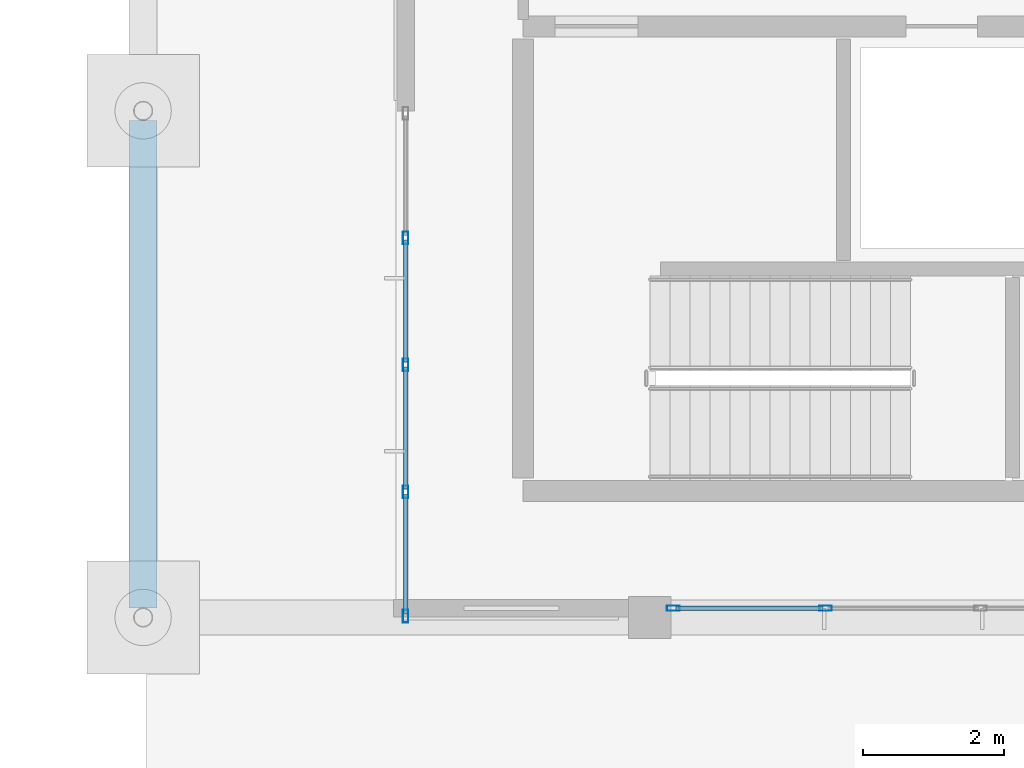
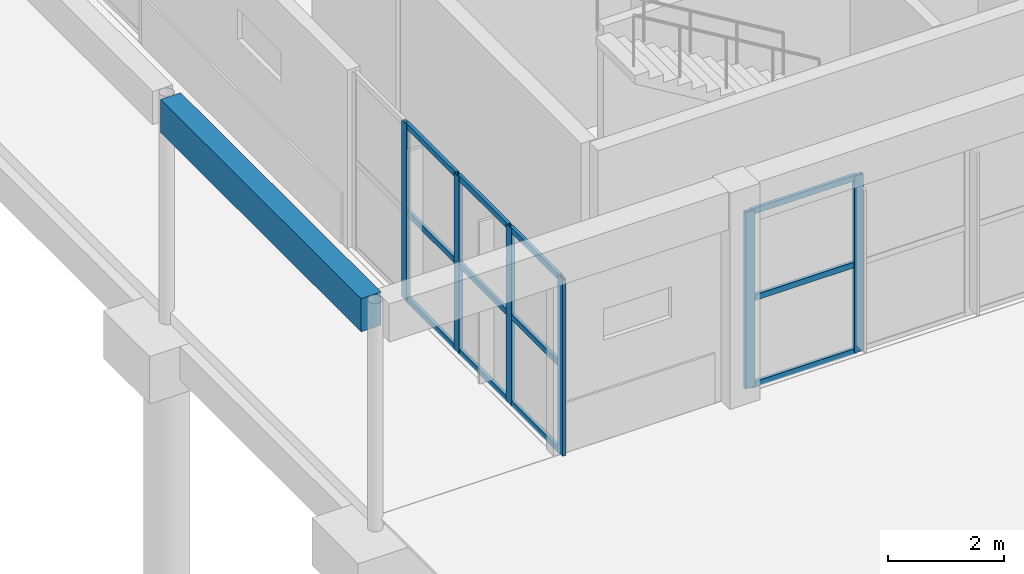
# One storey, part 13 of 155: 18 members, 1 beam, 2 elements without a shape of their own.
"""IFC4 building model written with IfcOpenShell, lengths in metres."""

from ifc_helpers import new_model, si_unit, direction, frame, origin, origin_2d, place, context, subcontext, project, spatial, rectangle, hollow_rectangle, extrude, material, material_profile, profile_set, type_object, element, aggregate, save


model = new_model("IFC4")

# Units and contexts
model_context = context("Model", 3, precision=1e-05, world=origin(), true_north=direction((0.0, 1.0)))
body_context = subcontext(model_context, "Body", "Model", "MODEL_VIEW")
ifc_project = project(units=[si_unit("LENGTHUNIT", "METRE"), si_unit("AREAUNIT", "SQUARE_METRE"), si_unit("VOLUMEUNIT", "CUBIC_METRE"), si_unit("PLANEANGLEUNIT", "RADIAN"), si_unit("MASSUNIT", "GRAM", prefix="KILO")], contexts=[model_context])

# Site, building, storey
site_placement = place(None, origin())
site = spatial("IfcSite", under=ifc_project, at=site_placement, CompositionType="ELEMENT")
building_placement = place(site_placement, origin())
building = spatial("IfcBuilding", under=site, at=building_placement, Name="Bramvelor Terrace Health Centre", CompositionType="ELEMENT")
storey_placement = place(building_placement, origin())
storey = spatial("IfcBuildingStorey", under=building, at=storey_placement, Name="L01", CompositionType="ELEMENT", Elevation=0.0)

# Beam
ifc_material_1 = material(Name="Concrete C40/50", Category="concrete")
ifc_material_profile_1 = material_profile(ifc_material_1, rectangle(XDim=0.39990234375, YDim=0.699951171875, at=origin_2d()), Name="RC 400x700")
ifc_profile_set_1 = profile_set([ifc_material_profile_1], Name="Concrete C40/50")
beam_type = type_object("IfcBeamType", Name="BM-RC-SP700-EXT", PredefinedType="SPANDREL", material=ifc_profile_set_1)
beam_placement = place(storey_placement, frame((0.0, 28.9365234375, 4.2099609375), z_axis=(0.0, 1.0, 0.0), x_axis=(-1.0, 0.0, 0.0)))
element("IfcBeam", 1, at=beam_placement, inside=storey, type_object=beam_type, Name="L01 Floor Girder", PredefinedType="SPANDREL", context=body_context, shape_type="SweptSolid", body=[
    extrude(rectangle(XDim=0.39990234375, YDim=0.699951171875, at=origin_2d()), origin(), (0.0, 0.0, 1.0), 6.927001953125),
])

# Curtain wall, members
ifc_material_2 = material(Name="Anodized aluminium and double low-E glass", Category="aluminium")
curtain_wall_type_1 = type_object("IfcCurtainWallType", Name="CW-SYS-02", PredefinedType="NOTDEFINED", material=ifc_material_2)
curtain_wall_1_placement = place(storey_placement, origin())
curtain_wall_1 = element("IfcCurtainWall", 2, at=curtain_wall_1_placement, inside=storey, type_object=curtain_wall_type_1, Name="L01 Unitized Curtain Wall 6", PredefinedType="NOTDEFINED")
ifc_material_3 = material(Name="Anodized aluminium 6063-T6", Category="aluminium")
ifc_material_profile_2 = material_profile(ifc_material_3, hollow_rectangle(XDim=0.074951171875, YDim=0.179931640625, WallThickness=0.00341796875, at=origin_2d()), Name="ALU-MUL 75x180x3.5")
ifc_profile_set_2 = profile_set([ifc_material_profile_2], Name="Anodized aluminium 6063-T6")
member_type_1 = type_object("IfcMemberType", Name="CW-MUL-65x180", PredefinedType="MULLION", material=ifc_profile_set_2)
member_1_placement = place(storey_placement, frame((9.6982421875, 28.929931640625, 0.0), z_axis=(0.0, 0.0, 1.0), x_axis=(0.0, -1.0, 0.0)))
member_1 = element("IfcMember", 3, at=member_1_placement, type_object=member_type_1, Name="CW-02 mullion 3", PredefinedType="MULLION", context=body_context, shape_type="SweptSolid", body=[
    extrude(hollow_rectangle(XDim=0.074951171875, YDim=0.179931640625, WallThickness=0.00341796875, at=origin_2d()), origin(), (0.0, 0.0, 1.0), 3.719970703125),
])
member_2_placement = place(storey_placement, frame((7.532470703125, 28.929931640625, 0.0), z_axis=(0.0, 0.0, 1.0), x_axis=(0.0, -1.0, 0.0)))
member_2 = element("IfcMember", 4, at=member_2_placement, type_object=member_type_1, Name="CW-02 mullion 4", PredefinedType="MULLION", context=body_context, shape_type="SweptSolid", body=[
    extrude(hollow_rectangle(XDim=0.074951171875, YDim=0.179931640625, WallThickness=0.00341796875, at=origin_2d()), origin(), (0.0, 0.0, 1.0), 3.719970703125),
])

ifc_material_4 = material(Name="Anodized aluminium and double low-E glass", Category="aluminium")
curtain_wall_type_2 = type_object("IfcCurtainWallType", Name="CW-SYS-03", PredefinedType="NOTDEFINED", material=ifc_material_4)
curtain_wall_2_placement = place(storey_placement, origin())
curtain_wall_2 = element("IfcCurtainWall", 5, at=curtain_wall_2_placement, inside=storey, type_object=curtain_wall_type_2, Name="L01 Unitized Curtain Wall 7", PredefinedType="NOTDEFINED")
member_3_placement = place(storey_placement, frame((3.72998046875, 28.8173828125, 0.0), z_axis=(0.0, 0.0, 1.0), x_axis=(-1.0, 0.0, 0.0)))
member_3 = element("IfcMember", 6, at=member_3_placement, type_object=member_type_1, Name="CW-03 mullion 1", PredefinedType="MULLION", context=body_context, shape_type="SweptSolid", body=[
    extrude(hollow_rectangle(XDim=0.074951171875, YDim=0.179931640625, WallThickness=0.00341796875, at=origin_2d()), origin(), (0.0, 0.0, 1.0), 3.719970703125),
])
member_4_placement = place(storey_placement, frame((3.72998046875, 30.5849609375, 0.0), z_axis=(0.0, 0.0, 1.0), x_axis=(-1.0, 0.0, 0.0)))
member_4 = element("IfcMember", 7, at=member_4_placement, type_object=member_type_1, Name="CW-03 mullion 2", PredefinedType="MULLION", context=body_context, shape_type="SweptSolid", body=[
    extrude(hollow_rectangle(XDim=0.074951171875, YDim=0.179931640625, WallThickness=0.00341796875, at=origin_2d()), origin(), (0.0, 0.0, 1.0), 3.719970703125),
])
member_5_placement = place(storey_placement, frame((3.72998046875, 32.389892578125, 0.0), z_axis=(0.0, 0.0, 1.0), x_axis=(-1.0, 0.0, 0.0)))
member_5 = element("IfcMember", 8, at=member_5_placement, type_object=member_type_1, Name="CW-03 mullion 3", PredefinedType="MULLION", context=body_context, shape_type="SweptSolid", body=[
    extrude(hollow_rectangle(XDim=0.074951171875, YDim=0.179931640625, WallThickness=0.00341796875, at=origin_2d()), origin(), (0.0, 0.0, 1.0), 3.719970703125),
])
member_6_placement = place(storey_placement, frame((3.72998046875, 34.195068359375, 0.0), z_axis=(0.0, 0.0, 1.0), x_axis=(-1.0, 0.0, 0.0)))
member_6 = element("IfcMember", 9, at=member_6_placement, type_object=member_type_1, Name="CW-03 mullion 4", PredefinedType="MULLION", context=body_context, shape_type="SweptSolid", body=[
    extrude(hollow_rectangle(XDim=0.074951171875, YDim=0.179931640625, WallThickness=0.00341796875, at=origin_2d()), origin(), (0.0, 0.0, 1.0), 3.719970703125),
])

# Member
ifc_material_5 = material(Name="Anodized aluminium 6063-T6", Category="aluminium")
ifc_material_profile_3 = material_profile(ifc_material_5, hollow_rectangle(XDim=0.06494140625, YDim=0.1201171875, WallThickness=0.0029296875, at=origin_2d()), Name="ALU-TRN 65x120x3.0")
ifc_profile_set_3 = profile_set([ifc_material_profile_3], Name="Anodized aluminium 6063-T6")
member_type_2 = type_object("IfcMemberType", Name="CW-TRN-65x150", PredefinedType="USERDEFINED", material=ifc_profile_set_3)
member_7_placement = place(storey_placement, frame((9.660888671875, 28.929931640625, 0.032470703125), z_axis=(-1.0, 0.0, 0.0), x_axis=(0.0, -1.0, 0.0)))
member_7 = element("IfcMember", 10, at=member_7_placement, type_object=member_type_2, Name="CW-02 transom 3.1", ObjectType="TRANSOM", PredefinedType="USERDEFINED", context=body_context, shape_type="SweptSolid", body=[
    extrude(hollow_rectangle(XDim=0.06494140625, YDim=0.1201171875, WallThickness=0.0029296875, at=origin_2d()), origin(), (0.0, 0.0, 1.0), 2.0908203125),
])

member_8_placement = place(storey_placement, frame((9.660888671875, 28.929931640625, 1.860107421875), z_axis=(-1.0, 0.0, 0.0), x_axis=(0.0, -1.0, 0.0)))
member_8 = element("IfcMember", 11, at=member_8_placement, type_object=member_type_2, Name="CW-02 transom 3.2", ObjectType="TRANSOM", PredefinedType="USERDEFINED", context=body_context, shape_type="SweptSolid", body=[
    extrude(hollow_rectangle(XDim=0.06494140625, YDim=0.1201171875, WallThickness=0.0029296875, at=origin_2d()), origin(), (0.0, 0.0, 1.0), 2.0908203125),
])

member_9_placement = place(storey_placement, frame((9.660888671875, 28.929931640625, 3.6875), z_axis=(-1.0, 0.0, 0.0), x_axis=(0.0, -1.0, 0.0)))
member_9 = element("IfcMember", 12, at=member_9_placement, type_object=member_type_2, Name="CW-02 transom 3.3", ObjectType="TRANSOM", PredefinedType="USERDEFINED", context=body_context, shape_type="SweptSolid", body=[
    extrude(hollow_rectangle(XDim=0.06494140625, YDim=0.1201171875, WallThickness=0.0029296875, at=origin_2d()), origin(), (0.0, 0.0, 1.0), 2.0908203125),
])

aggregate(curtain_wall_1, [member_1, member_2, member_7, member_8, member_9])

member_10_placement = place(storey_placement, frame((3.72998046875, 28.85498046875, 0.032470703125), z_axis=(0.0, 1.0, 0.0), x_axis=(-1.0, 0.0, 0.0)))
member_10 = element("IfcMember", 13, at=member_10_placement, type_object=member_type_2, Name="CW-03 transom 1.1", ObjectType="TRANSOM", PredefinedType="USERDEFINED", context=body_context, shape_type="SweptSolid", body=[
    extrude(hollow_rectangle(XDim=0.06494140625, YDim=0.1201171875, WallThickness=0.0029296875, at=origin_2d()), origin(), (0.0, 0.0, 1.0), 1.692626953125),
])

member_11_placement = place(storey_placement, frame((3.72998046875, 28.85498046875, 1.860107421875), z_axis=(0.0, 1.0, 0.0), x_axis=(-1.0, 0.0, 0.0)))
member_11 = element("IfcMember", 14, at=member_11_placement, type_object=member_type_2, Name="CW-03 transom 1.2", ObjectType="TRANSOM", PredefinedType="USERDEFINED", context=body_context, shape_type="SweptSolid", body=[
    extrude(hollow_rectangle(XDim=0.06494140625, YDim=0.1201171875, WallThickness=0.0029296875, at=origin_2d()), origin(), (0.0, 0.0, 1.0), 1.692626953125),
])

member_12_placement = place(storey_placement, frame((3.72998046875, 28.85498046875, 3.6875), z_axis=(0.0, 1.0, 0.0), x_axis=(-1.0, 0.0, 0.0)))
member_12 = element("IfcMember", 15, at=member_12_placement, type_object=member_type_2, Name="CW-03 transom 1.3", ObjectType="TRANSOM", PredefinedType="USERDEFINED", context=body_context, shape_type="SweptSolid", body=[
    extrude(hollow_rectangle(XDim=0.06494140625, YDim=0.1201171875, WallThickness=0.0029296875, at=origin_2d()), origin(), (0.0, 0.0, 1.0), 1.692626953125),
])

member_13_placement = place(storey_placement, frame((3.72998046875, 30.62255859375, 0.032470703125), z_axis=(0.0, 1.0, 0.0), x_axis=(-1.0, 0.0, 0.0)))
member_13 = element("IfcMember", 16, at=member_13_placement, type_object=member_type_2, Name="CW-03 transom 2.1", ObjectType="TRANSOM", PredefinedType="USERDEFINED", context=body_context, shape_type="SweptSolid", body=[
    extrude(hollow_rectangle(XDim=0.06494140625, YDim=0.1201171875, WallThickness=0.0029296875, at=origin_2d()), origin(), (0.0, 0.0, 1.0), 1.72998046875),
])

member_14_placement = place(storey_placement, frame((3.72998046875, 30.62255859375, 1.860107421875), z_axis=(0.0, 1.0, 0.0), x_axis=(-1.0, 0.0, 0.0)))
member_14 = element("IfcMember", 17, at=member_14_placement, type_object=member_type_2, Name="CW-03 transom 2.2", ObjectType="TRANSOM", PredefinedType="USERDEFINED", context=body_context, shape_type="SweptSolid", body=[
    extrude(hollow_rectangle(XDim=0.06494140625, YDim=0.1201171875, WallThickness=0.0029296875, at=origin_2d()), origin(), (0.0, 0.0, 1.0), 1.72998046875),
])

member_15_placement = place(storey_placement, frame((3.72998046875, 30.62255859375, 3.6875), z_axis=(0.0, 1.0, 0.0), x_axis=(-1.0, 0.0, 0.0)))
member_15 = element("IfcMember", 18, at=member_15_placement, type_object=member_type_2, Name="CW-03 transom 2.3", ObjectType="TRANSOM", PredefinedType="USERDEFINED", context=body_context, shape_type="SweptSolid", body=[
    extrude(hollow_rectangle(XDim=0.06494140625, YDim=0.1201171875, WallThickness=0.0029296875, at=origin_2d()), origin(), (0.0, 0.0, 1.0), 1.72998046875),
])

member_16_placement = place(storey_placement, frame((3.72998046875, 32.427490234375, 0.032470703125), z_axis=(0.0, 1.0, 0.0), x_axis=(-1.0, 0.0, 0.0)))
member_16 = element("IfcMember", 19, at=member_16_placement, type_object=member_type_2, Name="CW-03 transom 3.1", ObjectType="TRANSOM", PredefinedType="USERDEFINED", context=body_context, shape_type="SweptSolid", body=[
    extrude(hollow_rectangle(XDim=0.06494140625, YDim=0.1201171875, WallThickness=0.0029296875, at=origin_2d()), origin(), (0.0, 0.0, 1.0), 1.72998046875),
])

member_17_placement = place(storey_placement, frame((3.72998046875, 32.427490234375, 1.860107421875), z_axis=(0.0, 1.0, 0.0), x_axis=(-1.0, 0.0, 0.0)))
member_17 = element("IfcMember", 20, at=member_17_placement, type_object=member_type_2, Name="CW-03 transom 3.2", ObjectType="TRANSOM", PredefinedType="USERDEFINED", context=body_context, shape_type="SweptSolid", body=[
    extrude(hollow_rectangle(XDim=0.06494140625, YDim=0.1201171875, WallThickness=0.0029296875, at=origin_2d()), origin(), (0.0, 0.0, 1.0), 1.72998046875),
])

member_18_placement = place(storey_placement, frame((3.72998046875, 32.427490234375, 3.6875), z_axis=(0.0, 1.0, 0.0), x_axis=(-1.0, 0.0, 0.0)))
member_18 = element("IfcMember", 21, at=member_18_placement, type_object=member_type_2, Name="CW-03 transom 3.3", ObjectType="TRANSOM", PredefinedType="USERDEFINED", context=body_context, shape_type="SweptSolid", body=[
    extrude(hollow_rectangle(XDim=0.06494140625, YDim=0.1201171875, WallThickness=0.0029296875, at=origin_2d()), origin(), (0.0, 0.0, 1.0), 1.72998046875),
])

aggregate(curtain_wall_2, [member_3, member_4, member_5, member_6, member_10, member_11, member_12, member_13, member_14, member_15, member_16, member_17, member_18])

save(model, "model.ifc")
